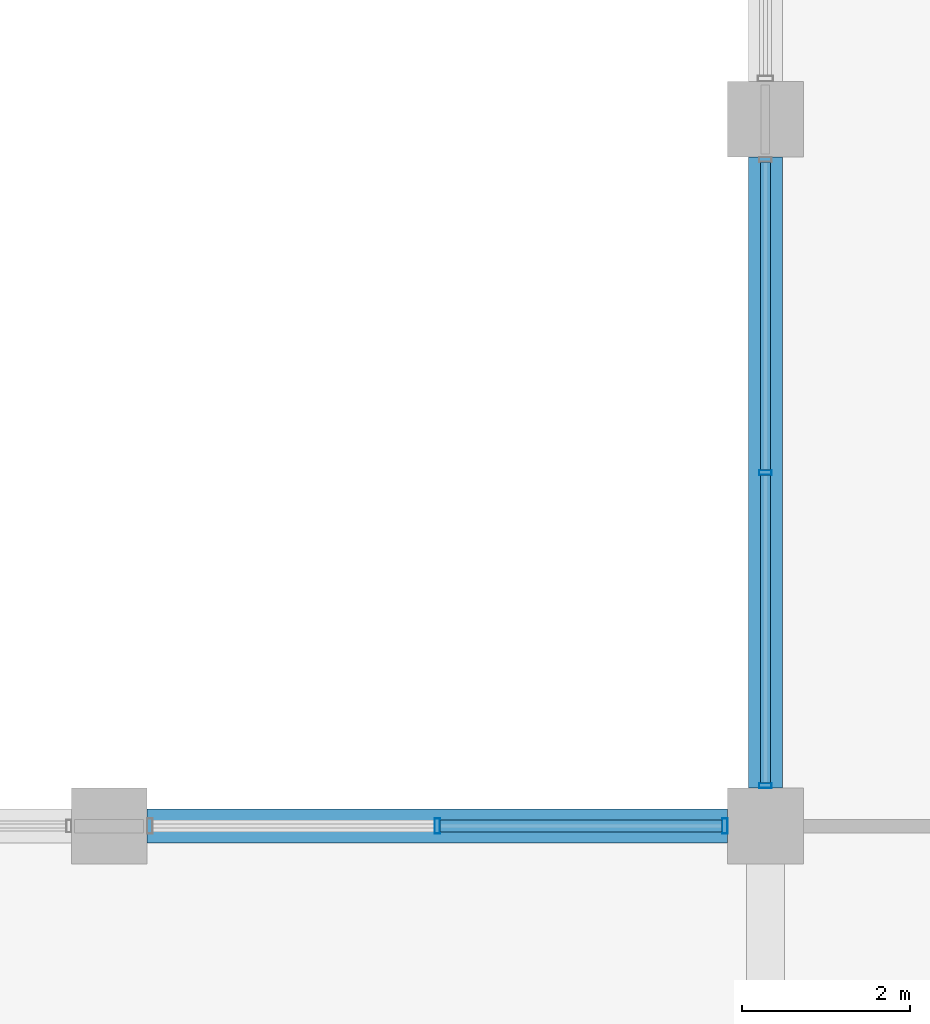
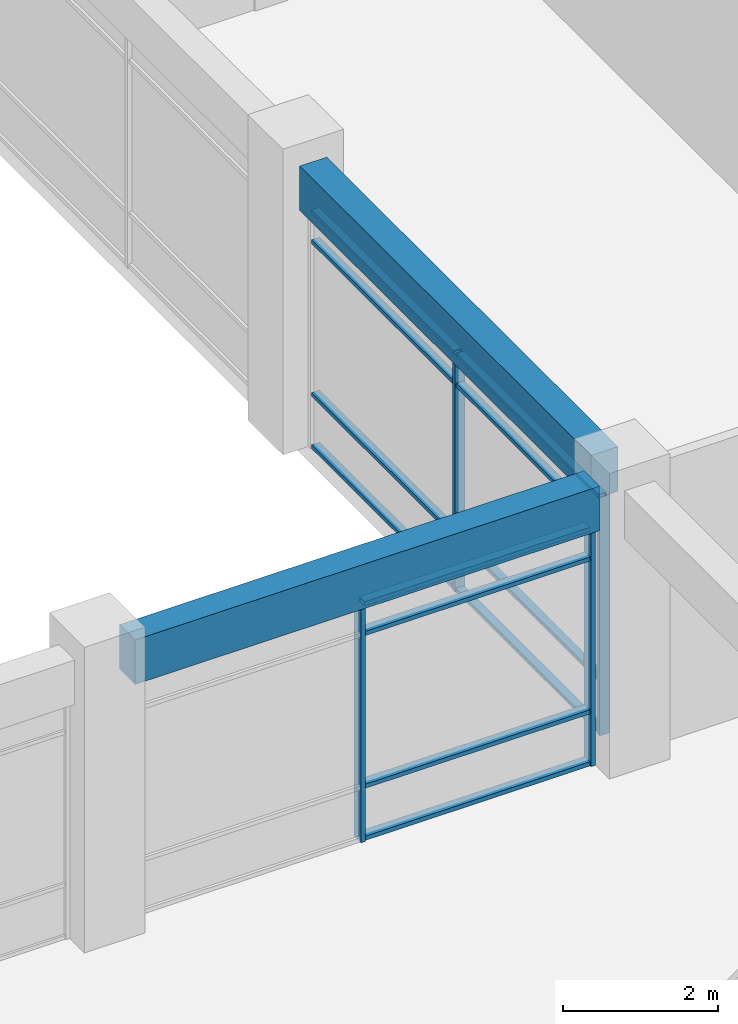
# One storey, part 36 of 79: 16 members, 2 beams, 2 elements without a shape of their own.
"""IFC4 building model written with IfcOpenShell, lengths in metres."""

from ifc_helpers import new_model, si_unit, direction, frame, origin, origin_2d, place, context, subcontext, project, spatial, rectangle, hollow_rectangle, extrude, material, material_profile, profile_set, type_object, element, aggregate, save


model = new_model("IFC4")

# Units and contexts
model_context = context("Model", 3, precision=1e-05, world=origin(), true_north=direction((0.0, 1.0)))
body_context = subcontext(model_context, "Body", "Model", "MODEL_VIEW")
ifc_project = project(units=[si_unit("LENGTHUNIT", "METRE"), si_unit("AREAUNIT", "SQUARE_METRE"), si_unit("VOLUMEUNIT", "CUBIC_METRE"), si_unit("PLANEANGLEUNIT", "RADIAN"), si_unit("MASSUNIT", "GRAM", prefix="KILO"), si_unit("THERMODYNAMICTEMPERATUREUNIT", "KELVIN"), si_unit("POWERUNIT", "WATT")], contexts=[model_context])

# Site, building, storey
site_placement = place(None, origin())
site = spatial("IfcSite", under=ifc_project, at=site_placement, CompositionType="ELEMENT")
building_placement = place(site_placement, origin())
building = spatial("IfcBuilding", under=site, at=building_placement, Name="Srebrne Nadtorze General Hospital", CompositionType="ELEMENT")
storey_placement = place(building_placement, frame((0.0, 0.0, 4.800048828125)))
storey = spatial("IfcBuildingStorey", under=building, at=storey_placement, Name="L01", CompositionType="ELEMENT", Elevation=4.800048828125)

# Curtain wall, members
ifc_material_1 = material(Name="Anodised Aluminium", Category="aluminium")
curtain_wall_type_1 = type_object("IfcCurtainWallType", Name="Unitised curtain wall 7500x3750", PredefinedType="NOTDEFINED", material=ifc_material_1)
curtain_wall_1_placement = place(storey_placement, origin())
curtain_wall_1 = element("IfcCurtainWall", 1, at=curtain_wall_1_placement, inside=storey, type_object=curtain_wall_type_1, Name="Curtain wall CW-064", PredefinedType="NOTDEFINED")
ifc_material_2 = material(Name="Anodised Aluminium", Category="aluminium")
ifc_material_profile_1 = material_profile(ifc_material_2, hollow_rectangle(XDim=0.06005859375, YDim=0.14990234375, WallThickness=0.00390625, at=origin_2d()), Name="AL-MUL-60x150")
ifc_profile_set_1 = profile_set([ifc_material_profile_1], Name="Anodised Aluminium")
member_type_1 = type_object("IfcMemberType", Name="Curtain mullion 60x150", PredefinedType="MULLION", material=ifc_profile_set_1)
member_1_placement = place(storey_placement, frame((132.60009765625, 8.8798828125, 0.0), z_axis=(0.0, 0.0, 1.0), x_axis=(0.0, 1.0, 0.0)))
member_1 = element("IfcMember", 2, at=member_1_placement, type_object=member_type_1, Name="CW-064 mullion 1", PredefinedType="MULLION", context=body_context, shape_type="SweptSolid", body=[
    extrude(hollow_rectangle(XDim=0.06005859375, YDim=0.14990234375, WallThickness=0.00390625, at=origin_2d()), origin(), (0.0, 0.0, 1.0), 3.75),
])
member_2_placement = place(storey_placement, frame((132.60009765625, 12.60009765625, 0.0), z_axis=(0.0, 0.0, 1.0), x_axis=(0.0, 1.0, 0.0)))
member_2 = element("IfcMember", 3, at=member_2_placement, type_object=member_type_1, Name="CW-064 mullion 2", PredefinedType="MULLION", context=body_context, shape_type="SweptSolid", body=[
    extrude(hollow_rectangle(XDim=0.06005859375, YDim=0.14990234375, WallThickness=0.00390625, at=origin_2d()), origin(), (0.0, 0.0, 1.0), 3.75),
])

ifc_material_3 = material(Name="Anodised Aluminium", Category="aluminium")
curtain_wall_type_2 = type_object("IfcCurtainWallType", Name="Unitised curtain wall 6900x3750", PredefinedType="NOTDEFINED", material=ifc_material_3)
curtain_wall_2_placement = place(storey_placement, origin())
curtain_wall_2 = element("IfcCurtainWall", 4, at=curtain_wall_2_placement, inside=storey, type_object=curtain_wall_type_2, Name="Curtain wall CW-041", PredefinedType="NOTDEFINED")
ifc_material_4 = material(Name="Anodised Aluminium", Category="aluminium")
ifc_material_profile_2 = material_profile(ifc_material_4, hollow_rectangle(XDim=0.06494140625, YDim=0.179931640625, WallThickness=0.00390625, at=origin_2d()), Name="AL-MUL-65x180")
ifc_profile_set_2 = profile_set([ifc_material_profile_2], Name="Anodised Aluminium")
member_type_2 = type_object("IfcMemberType", Name="Curtain mullion 65x180", PredefinedType="MULLION", material=ifc_profile_set_2)
member_3_placement = place(storey_placement, frame((128.699951171875, 8.39990234375, 0.0), z_axis=(0.0, 0.0, 1.0), x_axis=(1.0, 0.0, 0.0)))
member_3 = element("IfcMember", 5, at=member_3_placement, type_object=member_type_2, Name="CW-041 mullion 2", PredefinedType="MULLION", context=body_context, shape_type="SweptSolid", body=[
    extrude(hollow_rectangle(XDim=0.06494140625, YDim=0.179931640625, WallThickness=0.00390625, at=origin_2d()), origin(), (0.0, 0.0, 1.0), 3.75),
])
member_4_placement = place(storey_placement, frame((132.117431640625, 8.39990234375, 0.0), z_axis=(0.0, 0.0, 1.0), x_axis=(1.0, 0.0, 0.0)))
member_4 = element("IfcMember", 6, at=member_4_placement, type_object=member_type_2, Name="CW-041 mullion 3", PredefinedType="MULLION", context=body_context, shape_type="SweptSolid", body=[
    extrude(hollow_rectangle(XDim=0.06494140625, YDim=0.179931640625, WallThickness=0.00390625, at=origin_2d()), origin(), (0.0, 0.0, 1.0), 3.75),
])

# Member
ifc_material_5 = material(Name="Anodised Aluminium", Category="aluminium")
ifc_material_profile_3 = material_profile(ifc_material_5, hollow_rectangle(XDim=0.06005859375, YDim=0.1201171875, WallThickness=0.00390625, at=origin_2d()), Name="AL-TRN-60x120")
ifc_profile_set_3 = profile_set([ifc_material_profile_3], Name="Anodised Aluminium")
member_type_3 = type_object("IfcMemberType", Name="Curtain transom 60x120", PredefinedType="USERDEFINED", material=ifc_profile_set_3)
member_5_placement = place(storey_placement, frame((132.60009765625, 8.909912109375, 0.030029296875), z_axis=(0.0, 1.0, 0.0), x_axis=(0.0, 0.0, 1.0)))
member_5 = element("IfcMember", 7, at=member_5_placement, type_object=member_type_3, Name="CW-064 transom 1.1", ObjectType="TRANSOM", PredefinedType="USERDEFINED", context=body_context, shape_type="SweptSolid", body=[
    extrude(hollow_rectangle(XDim=0.06005859375, YDim=0.1201171875, WallThickness=0.00390625, at=origin_2d()), origin(), (0.0, 0.0, 1.0), 3.66015625),
])

member_6_placement = place(storey_placement, frame((132.60009765625, 8.909912109375, 0.849853515625), z_axis=(0.0, 1.0, 0.0), x_axis=(0.0, 0.0, 1.0)))
member_6 = element("IfcMember", 8, at=member_6_placement, type_object=member_type_3, Name="CW-064 transom 1.2", ObjectType="TRANSOM", PredefinedType="USERDEFINED", context=body_context, shape_type="SweptSolid", body=[
    extrude(hollow_rectangle(XDim=0.06005859375, YDim=0.1201171875, WallThickness=0.00390625, at=origin_2d()), origin(), (0.0, 0.0, 1.0), 3.66015625),
])

member_7_placement = place(storey_placement, frame((132.60009765625, 8.909912109375, 3.25), z_axis=(0.0, 1.0, 0.0), x_axis=(0.0, 0.0, 1.0)))
member_7 = element("IfcMember", 9, at=member_7_placement, type_object=member_type_3, Name="CW-064 transom 1.3", ObjectType="TRANSOM", PredefinedType="USERDEFINED", context=body_context, shape_type="SweptSolid", body=[
    extrude(hollow_rectangle(XDim=0.06005859375, YDim=0.1201171875, WallThickness=0.00390625, at=origin_2d()), origin(), (0.0, 0.0, 1.0), 3.66015625),
])

member_8_placement = place(storey_placement, frame((132.60009765625, 8.909912109375, 3.719970703125), z_axis=(0.0, 1.0, 0.0), x_axis=(0.0, 0.0, 1.0)))
member_8 = element("IfcMember", 10, at=member_8_placement, type_object=member_type_3, Name="CW-064 transom 1.4", ObjectType="TRANSOM", PredefinedType="USERDEFINED", context=body_context, shape_type="SweptSolid", body=[
    extrude(hollow_rectangle(XDim=0.06005859375, YDim=0.1201171875, WallThickness=0.00390625, at=origin_2d()), origin(), (0.0, 0.0, 1.0), 3.66015625),
])

member_9_placement = place(storey_placement, frame((132.60009765625, 12.6298828125, 0.030029296875), z_axis=(0.0, 1.0, 0.0), x_axis=(0.0, 0.0, 1.0)))
member_9 = element("IfcMember", 11, at=member_9_placement, type_object=member_type_3, Name="CW-064 transom 2.1", ObjectType="TRANSOM", PredefinedType="USERDEFINED", context=body_context, shape_type="SweptSolid", body=[
    extrude(hollow_rectangle(XDim=0.06005859375, YDim=0.1201171875, WallThickness=0.00390625, at=origin_2d()), origin(), (0.0, 0.0, 1.0), 3.66015625),
])

member_10_placement = place(storey_placement, frame((132.60009765625, 12.6298828125, 0.849853515625), z_axis=(0.0, 1.0, 0.0), x_axis=(0.0, 0.0, 1.0)))
member_10 = element("IfcMember", 12, at=member_10_placement, type_object=member_type_3, Name="CW-064 transom 2.2", ObjectType="TRANSOM", PredefinedType="USERDEFINED", context=body_context, shape_type="SweptSolid", body=[
    extrude(hollow_rectangle(XDim=0.06005859375, YDim=0.1201171875, WallThickness=0.00390625, at=origin_2d()), origin(), (0.0, 0.0, 1.0), 3.66015625),
])

member_11_placement = place(storey_placement, frame((132.60009765625, 12.6298828125, 3.25), z_axis=(0.0, 1.0, 0.0), x_axis=(0.0, 0.0, 1.0)))
member_11 = element("IfcMember", 13, at=member_11_placement, type_object=member_type_3, Name="CW-064 transom 2.3", ObjectType="TRANSOM", PredefinedType="USERDEFINED", context=body_context, shape_type="SweptSolid", body=[
    extrude(hollow_rectangle(XDim=0.06005859375, YDim=0.1201171875, WallThickness=0.00390625, at=origin_2d()), origin(), (0.0, 0.0, 1.0), 3.66015625),
])

member_12_placement = place(storey_placement, frame((132.60009765625, 12.6298828125, 3.719970703125), z_axis=(0.0, 1.0, 0.0), x_axis=(0.0, 0.0, 1.0)))
member_12 = element("IfcMember", 14, at=member_12_placement, type_object=member_type_3, Name="CW-064 transom 2.4", ObjectType="TRANSOM", PredefinedType="USERDEFINED", context=body_context, shape_type="SweptSolid", body=[
    extrude(hollow_rectangle(XDim=0.06005859375, YDim=0.1201171875, WallThickness=0.00390625, at=origin_2d()), origin(), (0.0, 0.0, 1.0), 3.66015625),
])

aggregate(curtain_wall_1, [member_1, member_2, member_5, member_6, member_7, member_8, member_9, member_10, member_11, member_12])

ifc_material_6 = material(Name="Anodised Aluminium", Category="aluminium")
ifc_material_profile_4 = material_profile(ifc_material_6, hollow_rectangle(XDim=0.06494140625, YDim=0.139892578125, WallThickness=0.00390625, at=origin_2d()), Name="AL-TRN-65x140")
ifc_profile_set_4 = profile_set([ifc_material_profile_4], Name="Anodised Aluminium")
member_type_4 = type_object("IfcMemberType", Name="Curtain transom 65x140", PredefinedType="USERDEFINED", material=ifc_profile_set_4)
member_13_placement = place(storey_placement, frame((128.732421875, 8.39990234375, 0.032470703125), z_axis=(1.0, 0.0, 0.0), x_axis=(0.0, 0.0, 1.0)))
member_13 = element("IfcMember", 15, at=member_13_placement, type_object=member_type_4, Name="CW-041 transom 2.1", ObjectType="TRANSOM", PredefinedType="USERDEFINED", context=body_context, shape_type="SweptSolid", body=[
    extrude(hollow_rectangle(XDim=0.06494140625, YDim=0.139892578125, WallThickness=0.00390625, at=origin_2d()), origin(), (0.0, 0.0, 1.0), 3.3525390625),
])

member_14_placement = place(storey_placement, frame((128.732421875, 8.39990234375, 0.849853515625), z_axis=(1.0, 0.0, 0.0), x_axis=(0.0, 0.0, 1.0)))
member_14 = element("IfcMember", 16, at=member_14_placement, type_object=member_type_4, Name="CW-041 transom 2.2", ObjectType="TRANSOM", PredefinedType="USERDEFINED", context=body_context, shape_type="SweptSolid", body=[
    extrude(hollow_rectangle(XDim=0.06494140625, YDim=0.139892578125, WallThickness=0.00390625, at=origin_2d()), origin(), (0.0, 0.0, 1.0), 3.3525390625),
])

member_15_placement = place(storey_placement, frame((128.732421875, 8.39990234375, 3.25), z_axis=(1.0, 0.0, 0.0), x_axis=(0.0, 0.0, 1.0)))
member_15 = element("IfcMember", 17, at=member_15_placement, type_object=member_type_4, Name="CW-041 transom 2.3", ObjectType="TRANSOM", PredefinedType="USERDEFINED", context=body_context, shape_type="SweptSolid", body=[
    extrude(hollow_rectangle(XDim=0.06494140625, YDim=0.139892578125, WallThickness=0.00390625, at=origin_2d()), origin(), (0.0, 0.0, 1.0), 3.3525390625),
])

member_16_placement = place(storey_placement, frame((128.732421875, 8.39990234375, 3.717529296875), z_axis=(1.0, 0.0, 0.0), x_axis=(0.0, 0.0, 1.0)))
member_16 = element("IfcMember", 18, at=member_16_placement, type_object=member_type_4, Name="CW-041 transom 2.4", ObjectType="TRANSOM", PredefinedType="USERDEFINED", context=body_context, shape_type="SweptSolid", body=[
    extrude(hollow_rectangle(XDim=0.06494140625, YDim=0.139892578125, WallThickness=0.00390625, at=origin_2d()), origin(), (0.0, 0.0, 1.0), 3.3525390625),
])

aggregate(curtain_wall_2, [member_3, member_4, member_13, member_14, member_15, member_16])

# Beams
ifc_material_7 = material(Name="Concrete C40/50", Category="concrete")
ifc_material_profile_5 = material_profile(ifc_material_7, rectangle(XDim=0.39990234375, YDim=0.699951171875, at=origin_2d()), Name="RC-BM-400x700")
ifc_profile_set_5 = profile_set([ifc_material_profile_5], Name="Concrete C40/50")
beam_type = type_object("IfcBeamType", Name="Edge beam RC 400x700", PredefinedType="BEAM", material=ifc_profile_set_5)
beam_1_placement = place(storey_placement, frame((125.25, 8.39990234375, 4.099853515625), z_axis=(1.0, 0.0, 0.0), x_axis=(0.0, 1.0, 0.0)))
element("IfcBeam", 19, at=beam_1_placement, inside=storey, type_object=beam_type, Name="Beam BM-L01-X-0379", PredefinedType="BEAM", context=body_context, shape_type="SweptSolid", body=[
    extrude(rectangle(XDim=0.39990234375, YDim=0.699951171875, at=origin_2d()), origin(), (0.0, 0.0, 1.0), 6.89990234375),
])
beam_2_placement = place(storey_placement, frame((132.60009765625, 8.85009765625, 4.099853515625), z_axis=(0.0, 1.0, 0.0), x_axis=(-1.0, 0.0, 0.0)))
element("IfcBeam", 20, at=beam_2_placement, inside=storey, type_object=beam_type, Name="Beam BM-L01-Y-0528", PredefinedType="BEAM", context=body_context, shape_type="SweptSolid", body=[
    extrude(rectangle(XDim=0.39990234375, YDim=0.699951171875, at=origin_2d()), origin(), (0.0, 0.0, 1.0), 7.5),
])

save(model, "model.ifc")
